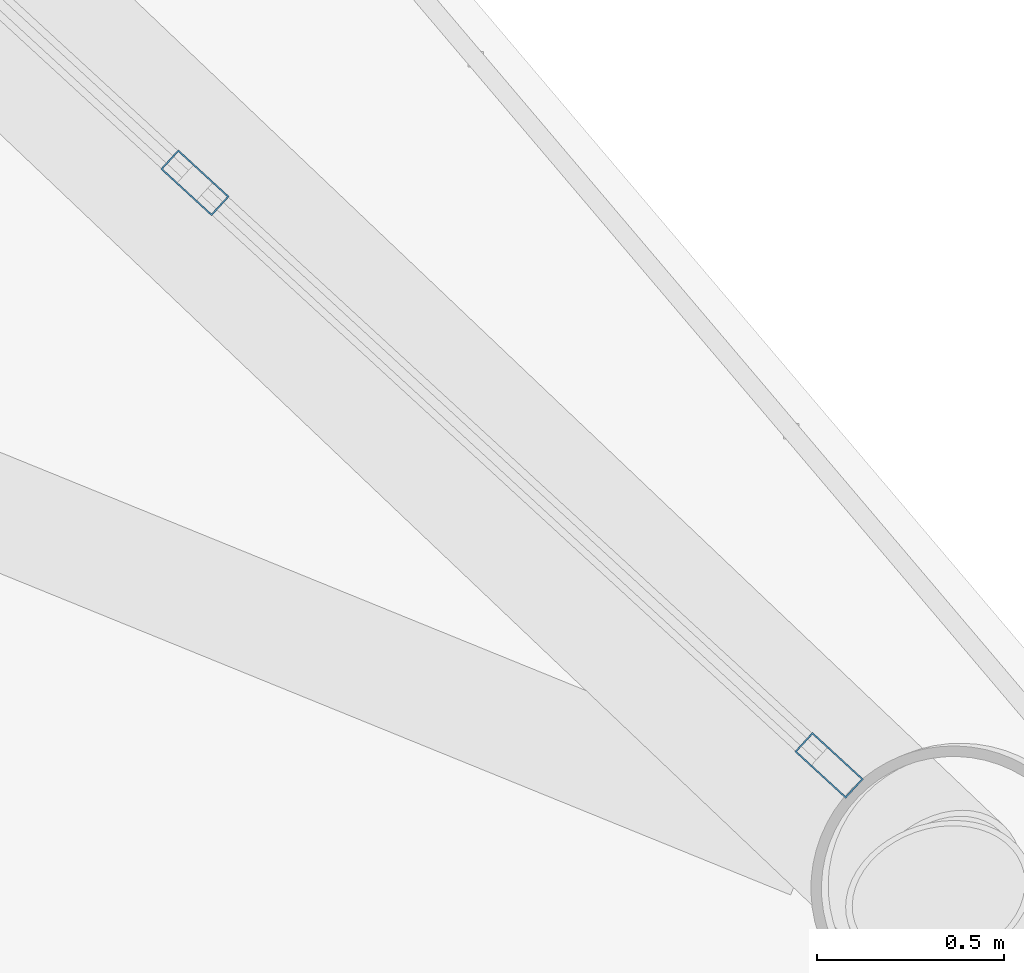
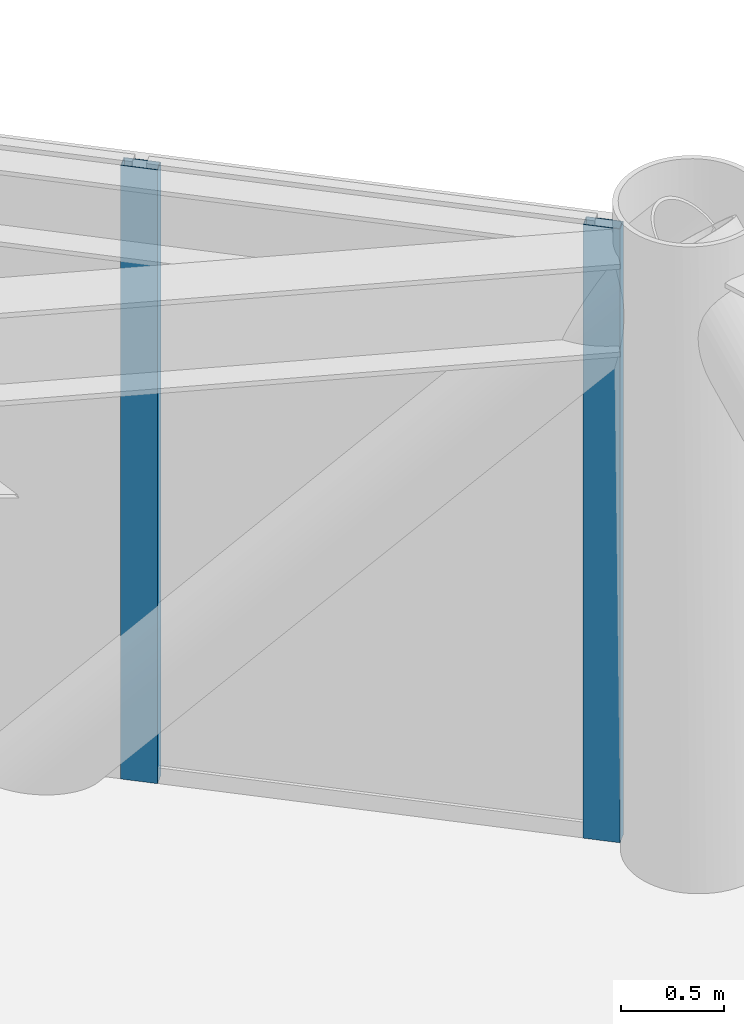
# One storey, part 16 of 26: 2 members, 1 element without a shape of its own.
"""IFC4 building model written with IfcOpenShell, lengths in metres."""

from ifc_helpers import new_model, si_unit, direction, frame, origin, origin_2d, place, context, subcontext, project, spatial, hollow_rectangle, extrude, material, layer, layer_set, material_profile, profile_set, type_object, element, aggregate, save


model = new_model("IFC4")

# Units and contexts
model_context = context("Model", 3, precision=1e-05, world=origin(), true_north=direction((0.0, 1.0)))
body_context = subcontext(model_context, "Body", "Model", "MODEL_VIEW")
ifc_project = project(units=[si_unit("LENGTHUNIT", "METRE"), si_unit("AREAUNIT", "SQUARE_METRE"), si_unit("VOLUMEUNIT", "CUBIC_METRE"), si_unit("PLANEANGLEUNIT", "RADIAN"), si_unit("MASSUNIT", "GRAM", prefix="KILO")], contexts=[model_context])

# Site, building, storey
site_placement = place(None, origin())
site = spatial("IfcSite", under=ifc_project, at=site_placement, CompositionType="ELEMENT")
building_placement = place(site_placement, origin())
building = spatial("IfcBuilding", under=site, at=building_placement, Name="Varnakorn Sky Granary", CompositionType="ELEMENT")
storey_placement = place(building_placement, frame((0.0, 0.0, 153.89990234375)))
storey = spatial("IfcBuildingStorey", under=building, at=storey_placement, Name="L38", CompositionType="ELEMENT", Elevation=153.89990234375)

# Curtain wall, members
ifc_material = material(Name="Anodised Bronze Aluminium Alloy 6063-T6", Category="aluminium")
ifc_layer = layer(ifc_material, 0.179931640625, Name="Anodised Bronze Aluminium Alloy 6063-T6")
ifc_layer_set = layer_set([ifc_layer], Name="Anodised Bronze Aluminium Alloy 6063-T6")
curtain_wall_type = type_object("IfcCurtainWallType", Name="CW-FRM-2", PredefinedType="USERDEFINED", material=ifc_layer_set)
curtain_wall_placement = place(storey_placement, origin())
curtain_wall = element("IfcCurtainWall", 1, at=curtain_wall_placement, inside=storey, type_object=curtain_wall_type, Name="Unitised Curtain Wall CW4 CW-L38-B02", ObjectType="CURTAIN WALL", PredefinedType="USERDEFINED")
ifc_material_profile = material_profile(ifc_material, hollow_rectangle(XDim=0.070068359375, YDim=0.18505859375, WallThickness=0.00390625, at=origin_2d()), Name="ALU MULL 70x185")
ifc_profile_set = profile_set([ifc_material_profile], Name="Anodised Bronze Aluminium Alloy 6063-T6")
member_type = type_object("IfcMemberType", Name="CW-FRM-2-MULL", PredefinedType="MULLION", material=ifc_profile_set)
member_1_placement = place(storey_placement, frame((14.27880859375, 11.33154296875, 0.0), z_axis=(0.0, 0.0, 1.0), x_axis=(0.676471797865, 0.736468537477, 0.0)))
member_1 = element("IfcMember", 2, at=member_1_placement, type_object=member_type, Name="CW4 mullion 4", PredefinedType="MULLION", context=body_context, shape_type="SweptSolid", body=[
    extrude(hollow_rectangle(XDim=0.070068359375, YDim=0.18505859375, WallThickness=0.00390625, at=origin_2d()), origin(), (0.0, 0.0, 1.0), 3.64013671875),
])
member_2_placement = place(storey_placement, frame((15.973876953125, 9.7744140625, 0.0), z_axis=(0.0, 0.0, 1.0), x_axis=(0.676471797865, 0.736468537477, 0.0)))
member_2 = element("IfcMember", 3, at=member_2_placement, type_object=member_type, Name="CW4 mullion 5", PredefinedType="MULLION", context=body_context, shape_type="SweptSolid", body=[
    extrude(hollow_rectangle(XDim=0.070068359375, YDim=0.18505859375, WallThickness=0.00390625, at=origin_2d()), origin(), (0.0, 0.0, 1.0), 3.64013671875),
])
aggregate(curtain_wall, [member_1, member_2])

save(model, "model.ifc")
